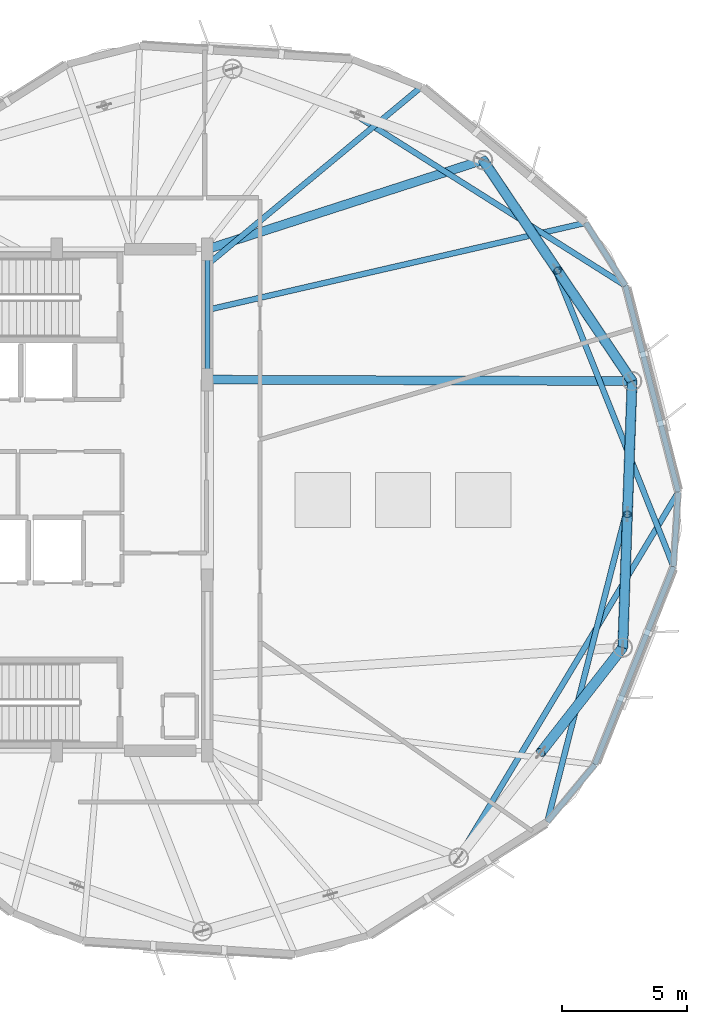
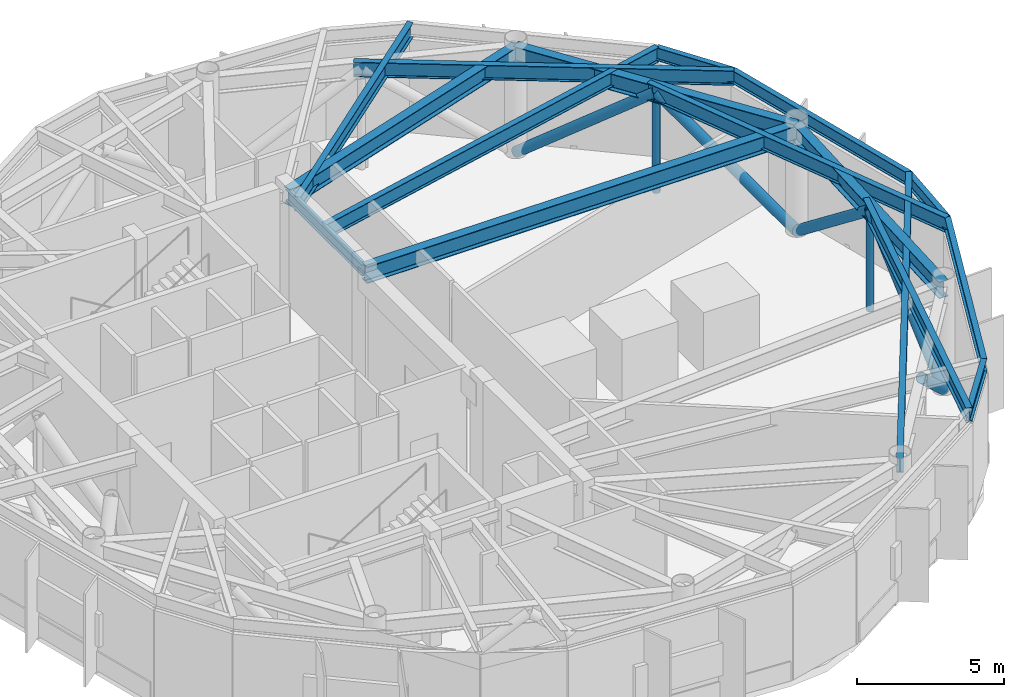
# One storey, part 4 of 14: 16 beams, 7 members.
"""IFC4 building model written with IfcOpenShell, lengths in metres."""

from ifc_helpers import new_model, si_unit, direction, frame, origin, origin_2d, place, context, subcontext, project, spatial, hollow_circle, i_section, extrude, material, material_profile, profile_set, type_object, element, save


model = new_model("IFC4")

# Units and contexts
model_context = context("Model", 3, precision=1e-05, world=origin(), true_north=direction((0.0, 1.0)))
body_context = subcontext(model_context, "Body", "Model", "MODEL_VIEW")
ifc_project = project(units=[si_unit("LENGTHUNIT", "METRE"), si_unit("AREAUNIT", "SQUARE_METRE"), si_unit("VOLUMEUNIT", "CUBIC_METRE"), si_unit("PLANEANGLEUNIT", "RADIAN"), si_unit("MASSUNIT", "GRAM", prefix="KILO")], contexts=[model_context])

# Site, building, storey
site_placement = place(None, origin())
site = spatial("IfcSite", under=ifc_project, at=site_placement, CompositionType="ELEMENT")
building_placement = place(site_placement, origin())
building = spatial("IfcBuilding", under=site, at=building_placement, Name="Soratama Intermodal Tower", CompositionType="ELEMENT")
storey_placement = place(building_placement, frame((0.0, 0.0, 283.75)))
storey = spatial("IfcBuildingStorey", under=building, at=storey_placement, Name="L72", CompositionType="ELEMENT", Elevation=283.75)

# Beams
ifc_material_1 = material(Name="Structural steel ASTM A992 Grade 50", Category="steel")
ifc_material_profile_1 = material_profile(ifc_material_1, i_section(OverallWidth=0.19091796875, OverallDepth=0.4599609375, WebThickness=0.010009765625, FlangeThickness=0.01611328125, FilletRadius=0.010986328125, at=origin_2d()), Name="W18X55")
ifc_profile_set_1 = profile_set([ifc_material_profile_1], Name="Structural steel ASTM A992 Grade 50")
beam_type_1 = type_object("IfcBeamType", Name="BM-FLR-W18X55", PredefinedType="BEAM", material=ifc_profile_set_1)
beam_1_placement = place(storey_placement, frame((44.60009765625, 29.800048828125, 4.27001953125), z_axis=(0.0, 1.0, 0.0), x_axis=(-1.0, 0.0, 0.0)))
element("IfcBeam", 1, at=beam_1_placement, inside=storey, type_object=beam_type_1, Name="BM-L72-CRING-05", PredefinedType="BEAM", context=body_context, shape_type="SweptSolid", body=[
    extrude(i_section(OverallWidth=0.19091796875, OverallDepth=0.4599609375, WebThickness=0.010009765625, FlangeThickness=0.01611328125, FilletRadius=0.010986328125, at=origin_2d()), origin(), (0.0, 0.0, 1.0), 5.199951171875),
])
ifc_material_2 = material(Name="Structural steel ASTM A992 Grade 50", Category="steel")
ifc_material_profile_2 = material_profile(ifc_material_2, i_section(OverallWidth=0.35498046875, OverallDepth=0.695068359375, WebThickness=0.015380859375, FlangeThickness=0.02490234375, FilletRadius=0.01611328125, at=origin_2d()), Name="W27X146")
ifc_profile_set_2 = profile_set([ifc_material_profile_2], Name="Structural steel ASTM A992 Grade 50")
beam_type_2 = type_object("IfcBeamType", Name="BM-RING-W27X146", PredefinedType="BEAM", material=ifc_profile_set_2)
for number, where, z_axis, x_axis, name in (
    (2, (61.533935546875, 29.740966796875, 4.152587890625), (-0.559218025165, 0.829020627204, 0.0), (-0.829020627204, -0.559218025165, 0.0), "BM-L72-RING-01"),
    (3, (61.1630859375, 19.116943359375, 4.152587890625), (0.034885453879, 0.999391317307, 0.0), (-0.999391317307, 0.034885453879, 0.0), "BM-L72-RING-10"),
):
    element("IfcBeam", number, at=place(storey_placement, frame(where, z_axis=z_axis, x_axis=x_axis)), inside=storey, type_object=beam_type_2, Name=name, PredefinedType="BEAM", context=body_context, shape_type="SweptSolid", body=[
        extrude(i_section(OverallWidth=0.35498046875, OverallDepth=0.695068359375, WebThickness=0.015380859375, FlangeThickness=0.02490234375, FilletRadius=0.01611328125, at=origin_2d()), origin(), (0.0, 0.0, 1.0), 10.630615234375),
    ])
beam_2_placement = place(storey_placement, frame((44.60009765625, 29.800048828125, 4.152587890625), z_axis=(0.999993913522, -0.003488971138, 0.0), x_axis=(0.003488971138, 0.999993913522, 0.0)))
element("IfcBeam", 4, at=beam_2_placement, inside=storey, type_object=beam_type_2, Name="BM-L72-RAD-01", PredefinedType="BEAM", context=body_context, shape_type="SweptSolid", body=[
    extrude(i_section(OverallWidth=0.35498046875, OverallDepth=0.695068359375, WebThickness=0.015380859375, FlangeThickness=0.02490234375, FilletRadius=0.01611328125, at=origin_2d()), origin(), (0.0, 0.0, 1.0), 16.933837890625),
])
beam_3_placement = place(storey_placement, frame((44.60009765625, 35.0, 4.152587890625), z_axis=(0.95147783512, 0.307717287904, 0.0), x_axis=(-0.307717287904, 0.95147783512, 0.0)))
element("IfcBeam", 5, at=beam_3_placement, inside=storey, type_object=beam_type_2, Name="BM-L72-RAD-02", PredefinedType="BEAM", context=body_context, shape_type="SweptSolid", body=[
    extrude(i_section(OverallWidth=0.35498046875, OverallDepth=0.695068359375, WebThickness=0.015380859375, FlangeThickness=0.02490234375, FilletRadius=0.01611328125, at=origin_2d()), origin(), (0.0, 0.0, 1.0), 11.54931640625),
])
ifc_material_3 = material(Name="Structural steel ASTM A992 Grade 50", Category="steel")
ifc_material_profile_3 = material_profile(ifc_material_3, i_section(OverallWidth=0.2099609375, OverallDepth=0.537109375, WebThickness=0.010986328125, FlangeThickness=0.017333984375, FilletRadius=0.012939453125, at=origin_2d()), Name="W21X68")
ifc_profile_set_3 = profile_set([ifc_material_profile_3], Name="Structural steel ASTM A992 Grade 50")
beam_type_3 = type_object("IfcBeamType", Name="BM-SPN-W21X68", PredefinedType="SPANDREL", material=ifc_profile_set_3)
beam_4_placement = place(storey_placement, frame((58.155029296875, 12.1669921875, 4.2314453125), z_axis=(0.638345382611, 0.769750071452, 0.0), x_axis=(-0.769750071452, 0.638345382611, 0.0)))
element("IfcBeam", 6, at=beam_4_placement, inside=storey, type_object=beam_type_3, Name="BS-L72-CRN07", PredefinedType="SPANDREL", context=body_context, shape_type="SweptSolid", body=[
    extrude(i_section(OverallWidth=0.2099609375, OverallDepth=0.537109375, WebThickness=0.010986328125, FlangeThickness=0.017333984375, FilletRadius=0.012939453125, at=origin_2d()), origin(), (0.0, 0.0, 1.0), 2.967041015625),
])
beam_5_placement = place(storey_placement, frame((60.049072265625, 14.450927734375, 4.2314453125), z_axis=(0.369086587195, 0.929395013518, 0.0), x_axis=(-0.929395013518, 0.369086587195, 0.0)))
element("IfcBeam", 7, at=beam_5_placement, inside=storey, type_object=beam_type_3, Name="BS-L72-F08", PredefinedType="SPANDREL", context=body_context, shape_type="SweptSolid", body=[
    extrude(i_section(OverallWidth=0.2099609375, OverallDepth=0.537109375, WebThickness=0.010986328125, FlangeThickness=0.017333984375, FilletRadius=0.012939453125, at=origin_2d()), origin(), (0.0, 0.0, 1.0), 8.499267578125),
])
beam_6_placement = place(storey_placement, frame((63.18603515625, 22.35009765625, 4.2314453125), z_axis=(0.063689692197, 0.997969750598, 0.0), x_axis=(-0.997969750598, 0.063689692197, 0.0)))
element("IfcBeam", 8, at=beam_6_placement, inside=storey, type_object=beam_type_3, Name="BS-L72-CRN08", PredefinedType="SPANDREL", context=body_context, shape_type="SweptSolid", body=[
    extrude(i_section(OverallWidth=0.2099609375, OverallDepth=0.537109375, WebThickness=0.010986328125, FlangeThickness=0.017333984375, FilletRadius=0.012939453125, at=origin_2d()), origin(), (0.0, 0.0, 1.0), 2.967041015625),
])
beam_7_placement = place(storey_placement, frame((63.375, 25.31103515625, 4.2314453125), z_axis=(-0.247655188416, 0.968848237678, 0.0), x_axis=(-0.968848237678, -0.247655188416, 0.0)))
element("IfcBeam", 9, at=beam_7_placement, inside=storey, type_object=beam_type_3, Name="BS-L72-F09", PredefinedType="SPANDREL", context=body_context, shape_type="SweptSolid", body=[
    extrude(i_section(OverallWidth=0.2099609375, OverallDepth=0.537109375, WebThickness=0.010986328125, FlangeThickness=0.017333984375, FilletRadius=0.012939453125, at=origin_2d()), origin(), (0.0, 0.0, 1.0), 8.499755859375),
])
beam_8_placement = place(storey_placement, frame((61.27001953125, 33.5458984375, 4.2314453125), z_axis=(-0.534983546181, 0.844862477161, 0.0), x_axis=(-0.844862477161, -0.534983546181, 0.0)))
element("IfcBeam", 10, at=beam_8_placement, inside=storey, type_object=beam_type_3, Name="BS-L72-CRN09", PredefinedType="SPANDREL", context=body_context, shape_type="SweptSolid", body=[
    extrude(i_section(OverallWidth=0.2099609375, OverallDepth=0.537109375, WebThickness=0.010986328125, FlangeThickness=0.017333984375, FilletRadius=0.012939453125, at=origin_2d()), origin(), (0.0, 0.0, 1.0), 2.96630859375),
])
ifc_material_4 = material(Name="Structural steel ASTM A992 Grade 50", Category="steel")
ifc_material_profile_4 = material_profile(ifc_material_4, i_section(OverallWidth=0.22900390625, OverallDepth=0.612060546875, WebThickness=0.011962890625, FlangeThickness=0.01953125, FilletRadius=0.012939453125, at=origin_2d()), Name="W24X84")
ifc_profile_set_4 = profile_set([ifc_material_profile_4], Name="Structural steel ASTM A992 Grade 50")
beam_type_4 = type_object("IfcBeamType", Name="BM-TIE-W24X84", PredefinedType="BEAM", material=ifc_profile_set_4)
beam_9_placement = place(storey_placement, frame((61.34912109375, 24.70703125, 4.194091796875), z_axis=(-0.246830367753, -0.969058702842, 0.0), x_axis=(0.969058702842, -0.246830367753, 0.0)))
element("IfcBeam", 11, at=beam_9_placement, inside=storey, type_object=beam_type_4, Name="BM-L72-TIE1-07", PredefinedType="BEAM", context=body_context, shape_type="SweptSolid", body=[
    extrude(i_section(OverallWidth=0.22900390625, OverallDepth=0.612060546875, WebThickness=0.011962890625, FlangeThickness=0.01953125, FilletRadius=0.012939453125, at=origin_2d()), origin(), (0.0, 0.0, 1.0), 12.9404296875),
])
beam_10_placement = place(storey_placement, frame((58.39892578125, 34.373046875, 4.194091796875), z_axis=(0.369919981908, -0.929063618373, 0.0), x_axis=(0.929063618373, 0.369919981908, 0.0)))
element("IfcBeam", 12, at=beam_10_placement, inside=storey, type_object=beam_type_4, Name="BM-L72-TIE1-08", PredefinedType="BEAM", context=body_context, shape_type="SweptSolid", body=[
    extrude(i_section(OverallWidth=0.22900390625, OverallDepth=0.612060546875, WebThickness=0.011962890625, FlangeThickness=0.01953125, FilletRadius=0.012939453125, at=origin_2d()), origin(), (0.0, 0.0, 1.0), 12.94091796875),
])
beam_11_placement = place(storey_placement, frame((54.62890625, 10.77197265625, 4.194091796875), z_axis=(0.515477266718, 0.856903254456, 0.0), x_axis=(-0.856903254456, 0.515477266718, 0.0)))
element("IfcBeam", 13, at=beam_11_placement, inside=storey, type_object=beam_type_4, Name="BM-L72-TIE0-09", PredefinedType="BEAM", context=body_context, shape_type="SweptSolid", body=[
    extrude(i_section(OverallWidth=0.22900390625, OverallDepth=0.612060546875, WebThickness=0.011962890625, FlangeThickness=0.01953125, FilletRadius=0.012939453125, at=origin_2d()), origin(), (0.0, 0.0, 1.0), 16.967041015625),
])
beam_12_placement = place(storey_placement, frame((50.3310546875, 40.458984375, 4.194091796875), z_axis=(0.84534002897, -0.534228635904, 0.0), x_axis=(0.534228635904, 0.84534002897, 0.0)))
element("IfcBeam", 14, at=beam_12_placement, inside=storey, type_object=beam_type_4, Name="BM-L72-TIE1-09", PredefinedType="BEAM", context=body_context, shape_type="SweptSolid", body=[
    extrude(i_section(OverallWidth=0.22900390625, OverallDepth=0.612060546875, WebThickness=0.011962890625, FlangeThickness=0.01953125, FilletRadius=0.012939453125, at=origin_2d()), origin(), (0.0, 0.0, 1.0), 12.9404296875),
])
beam_13_placement = place(storey_placement, frame((44.638916015625, 32.587890625, 4.194091796875), z_axis=(0.974499296019, 0.224390556973, 0.0), x_axis=(-0.224390556973, 0.974499296019, 0.0)))
element("IfcBeam", 15, at=beam_13_placement, inside=storey, type_object=beam_type_4, Name="BM-L72-TIE0-10", PredefinedType="BEAM", context=body_context, shape_type="SweptSolid", body=[
    extrude(i_section(OverallWidth=0.22900390625, OverallDepth=0.612060546875, WebThickness=0.011962890625, FlangeThickness=0.01953125, FilletRadius=0.012939453125, at=origin_2d()), origin(), (0.0, 0.0, 1.0), 15.437744140625),
])
beam_14_placement = place(storey_placement, frame((44.631103515625, 34.409912109375, 4.194091796875), z_axis=(0.769265978105, 0.638928677499, 0.0), x_axis=(-0.638928677499, 0.769265978105, 0.0)))
element("IfcBeam", 16, at=beam_14_placement, inside=storey, type_object=beam_type_4, Name="BM-L72-TIE1-10", PredefinedType="BEAM", context=body_context, shape_type="SweptSolid", body=[
    extrude(i_section(OverallWidth=0.22900390625, OverallDepth=0.612060546875, WebThickness=0.011962890625, FlangeThickness=0.01953125, FilletRadius=0.012939453125, at=origin_2d()), origin(), (0.0, 0.0, 1.0), 11.06103515625),
])

# Members
ifc_material_5 = material(Name="Structural steel ASTM A500 Grade C", Category="steel")
ifc_material_profile_5 = material_profile(ifc_material_5, hollow_circle(Radius=0.203125, WallThickness=0.01611328125, at=origin_2d()), Name="CHS406X16")
ifc_profile_set_5 = profile_set([ifc_material_profile_5], Name="Structural steel ASTM A500 Grade C")
member_type_1 = type_object("IfcMemberType", Name="MB-BLT-CHS406", PredefinedType="BRACE", material=ifc_profile_set_5)
for number, where, z_axis, x_axis, name in (
    (17, (61.53369140625, 29.740966796875, 0.010009765625), (-0.441050568282, 0.653895326674, 0.61473189113), (-0.829041921221, -0.559186456255, 0.0), "L72 Belt Truss Brace A 01"),
    (18, (55.58935546875, 38.5537109375, 0.010009765625), (0.44106101681, -0.65387458776, 0.614746454184), (0.829027557682, 0.559207750843, 0.0), "L72 Belt Truss Brace B 01"),
    (19, (61.16259765625, 19.1171875, 0.010009765625), (-0.485588067539, -0.621522293415, 0.614747320004), (0.788009749053, -0.615662761093, 0.0), "L72 Belt Truss Brace B 09"),
):
    element("IfcMember", number, at=place(storey_placement, frame(where, z_axis=z_axis, x_axis=x_axis)), inside=storey, type_object=member_type_1, Name=name, PredefinedType="BRACE", context=body_context, shape_type="SweptSolid", body=[
        extrude(hollow_circle(Radius=0.203125, WallThickness=0.01611328125, at=origin_2d()), origin(), (0.0, 0.0, 1.0), 6.73876953125),
    ])
member_1_placement = place(storey_placement, frame((61.16259765625, 19.1171875, 0.010009765625), z_axis=(0.027533680395, 0.788260286877, 0.614725643337), x_axis=(-0.99939051635, 0.034908391967, 0.0)))
element("IfcMember", 20, at=member_1_placement, inside=storey, type_object=member_type_1, Name="L72 Belt Truss Brace A 10", PredefinedType="BRACE", context=body_context, shape_type="SweptSolid", body=[
    extrude(hollow_circle(Radius=0.203125, WallThickness=0.01611328125, at=origin_2d()), origin(), (0.0, 0.0, 1.0), 6.739013671875),
])
member_2_placement = place(storey_placement, frame((61.53369140625, 29.740966796875, 0.010009765625), z_axis=(-0.027534466704, -0.788246568513, 0.614743198719), x_axis=(0.999390460373, -0.034909994479, 0.0)))
element("IfcMember", 21, at=member_2_placement, inside=storey, type_object=member_type_1, Name="L72 Belt Truss Brace B 10", PredefinedType="BRACE", context=body_context, shape_type="SweptSolid", body=[
    extrude(hollow_circle(Radius=0.203125, WallThickness=0.01611328125, at=origin_2d()), origin(), (0.0, 0.0, 1.0), 6.73876953125),
])
ifc_material_6 = material(Name="Structural steel ASTM A500 Grade C", Category="steel")
ifc_material_profile_6 = material_profile(ifc_material_6, hollow_circle(Radius=0.136474609375, WallThickness=0.011962890625, at=origin_2d()), Name="CHS273X12")
ifc_profile_set_6 = profile_set([ifc_material_profile_6], Name="Structural steel ASTM A500 Grade C")
member_type_2 = type_object("IfcMemberType", Name="MB-TURB-CHS273", PredefinedType="BRACE", material=ifc_profile_set_6)
for number, where, z_axis, x_axis, name in (
    (22, (58.5615234375, 34.1474609375, 0.010009765625), (0.0, 0.0, 1.0), (1.0, 0.0, 0.0), "L72 Turbine Portal Post 01"),
    (23, (61.34814453125, 24.42919921875, 0.010009765625), (0.0, 0.0, 1.0), (1.0, 0.0, 0.0), "L72 Turbine Portal Post 05"),
):
    element("IfcMember", number, at=place(storey_placement, frame(where, z_axis=z_axis, x_axis=x_axis)), inside=storey, type_object=member_type_2, Name=name, PredefinedType="BRACE", context=body_context, shape_type="SweptSolid", body=[
        extrude(hollow_circle(Radius=0.136474609375, WallThickness=0.011962890625, at=origin_2d()), origin(), (0.0, 0.0, 1.0), 4.142578125),
    ])

save(model, "model.ifc")
